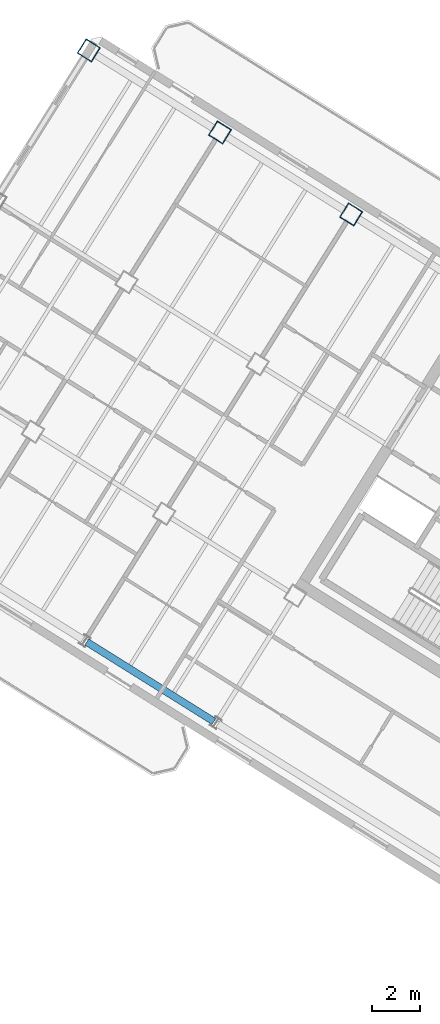
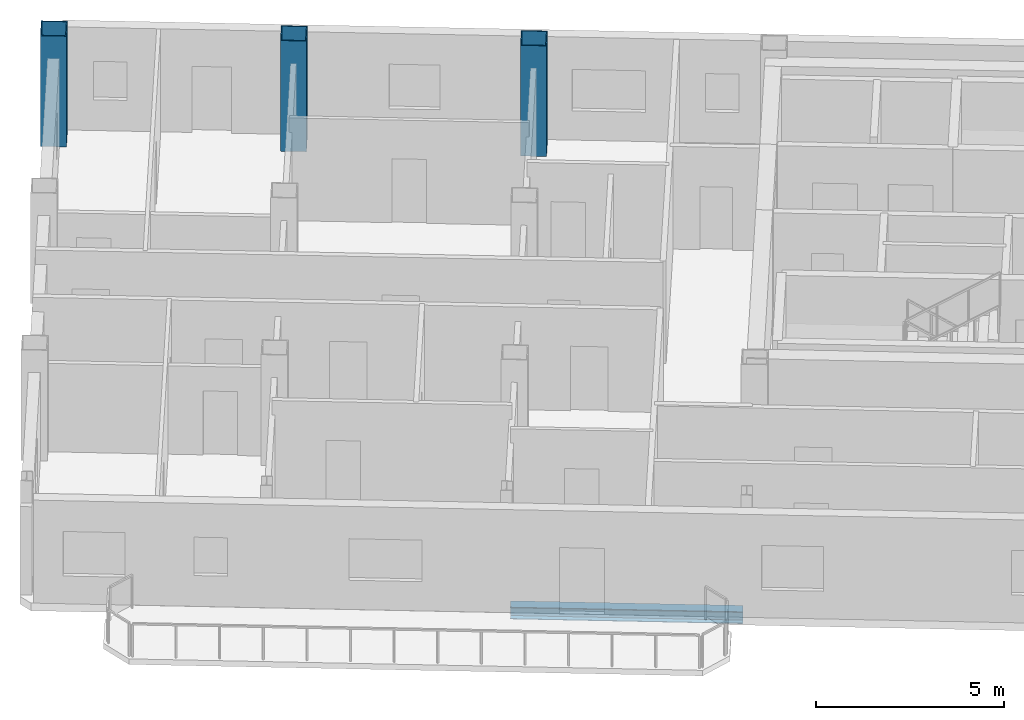
# One storey, part 2 of 14: 3 columns, 1 beam.
"""IFC4 building model written with IfcOpenShell, lengths in metres."""

from ifc_helpers import new_model, si_unit, direction, frame, origin, origin_2d, place, context, subcontext, project, spatial, hollow_rectangle, i_section, extrude, source, transform, mapped, material, material_profile, profile_set, type_object, element, save


model = new_model("IFC4")

# Units and contexts
model_context = context("Model", 3, precision=1e-05, world=origin(), true_north=direction((0.0, 1.0)))
body_context = subcontext(model_context, "Body", "Model", "MODEL_VIEW")
ifc_project = project(units=[si_unit("LENGTHUNIT", "METRE"), si_unit("AREAUNIT", "SQUARE_METRE"), si_unit("VOLUMEUNIT", "CUBIC_METRE"), si_unit("PLANEANGLEUNIT", "RADIAN"), si_unit("MASSUNIT", "GRAM", prefix="KILO")], contexts=[model_context])

# Site, building, storey
site_placement = place(None, origin())
site = spatial("IfcSite", under=ifc_project, at=site_placement, CompositionType="ELEMENT")
building_placement = place(site_placement, origin())
building = spatial("IfcBuilding", under=site, at=building_placement, Name="Tlacorven Tower", CompositionType="ELEMENT")
storey_placement = place(building_placement, frame((0.0, 0.0, 273.60009765625)))
storey = spatial("IfcBuildingStorey", under=building, at=storey_placement, Name="L69", CompositionType="ELEMENT", Elevation=273.60009765625)

# Columns
ifc_material_1 = material(Name="Steel S460M", Category="steel")
ifc_material_profile_1 = material_profile(ifc_material_1, hollow_rectangle(XDim=0.699951171875, YDim=0.699951171875, WallThickness=0.028076171875, at=origin_2d()), Name="BOX 700X700X28")
ifc_profile_set_1 = profile_set([ifc_material_profile_1], Name="Steel S460M")
column_type = type_object("IfcColumnType", Name="COL-TWR-S4", PredefinedType="COLUMN", material=ifc_profile_set_1)
shared_shape_1 = source(origin(), body_context, "Body", "SweptSolid", [
    extrude(hollow_rectangle(XDim=0.699951171875, YDim=0.699951171875, WallThickness=0.028076171875, at=origin_2d()), origin(), (0.0, 0.0, 1.0), 3.599853515625),
])
for number, where, z_axis, x_axis, name in (
    (1, (24.50048828125, 34.642822265625, 0.0), (0.0, 0.0, 1.0), (-0.848048096156, 0.529919264233, 0.0), "L69 column COL-L69-W4-1"),
    (2, (19.072998046875, 38.034423828125, 0.0), (0.0, 0.0, 1.0), (-0.848048096156, 0.529919264233, 0.0), "L69 column COL-L69-W5-1"),
    (3, (13.6455078125, 41.42578125, 0.0), (0.0, 0.0, 1.0), (-0.848048096156, 0.529919264233, 0.0), "L69 column COL-L69-W6-1"),
):
    element("IfcColumn", number, at=place(storey_placement, frame(where, z_axis=z_axis, x_axis=x_axis)), inside=storey, type_object=column_type, Name=name, PredefinedType="COLUMN", context=body_context, shape_type="MappedRepresentation", body=[
        mapped(shared_shape_1, transform((0.0, 0.0, 0.0), scale=1.0)),
    ])

# Beam
ifc_material_2 = material(Name="Steel S355J2", Category="steel")
ifc_material_profile_2 = material_profile(ifc_material_2, i_section(OverallWidth=0.300048828125, OverallDepth=0.389892578125, WebThickness=0.010986328125, FlangeThickness=0.01904296875, at=origin_2d()), Name="HEA 400")
ifc_profile_set_2 = profile_set([ifc_material_profile_2], Name="Steel S355J2")
beam_type = type_object("IfcBeamType", Name="BM-SPN-400", PredefinedType="SPANDREL", material=ifc_profile_set_2)
shared_shape_2 = source(origin(), body_context, "Body", "SweptSolid", [
    extrude(i_section(OverallWidth=0.300048828125, OverallDepth=0.389892578125, WebThickness=0.010986328125, FlangeThickness=0.01904296875, at=origin_2d()), origin(), (0.0, 0.0, 1.0), 6.199951171875),
])
beam_placement = place(storey_placement, frame((18.82080078125, 13.6650390625, -0.445068359375), z_axis=(-0.848051394107, 0.529913986372, 0.0), x_axis=(-0.529913986372, -0.848051394107, 0.0)))
element("IfcBeam", 4, at=beam_placement, inside=storey, type_object=beam_type, Name="L69 beam BM-L69-WL4-3", PredefinedType="SPANDREL", context=body_context, shape_type="MappedRepresentation", body=[
    mapped(shared_shape_2, transform((0.0, 0.0, 0.0), scale=1.0)),
])

save(model, "model.ifc")
